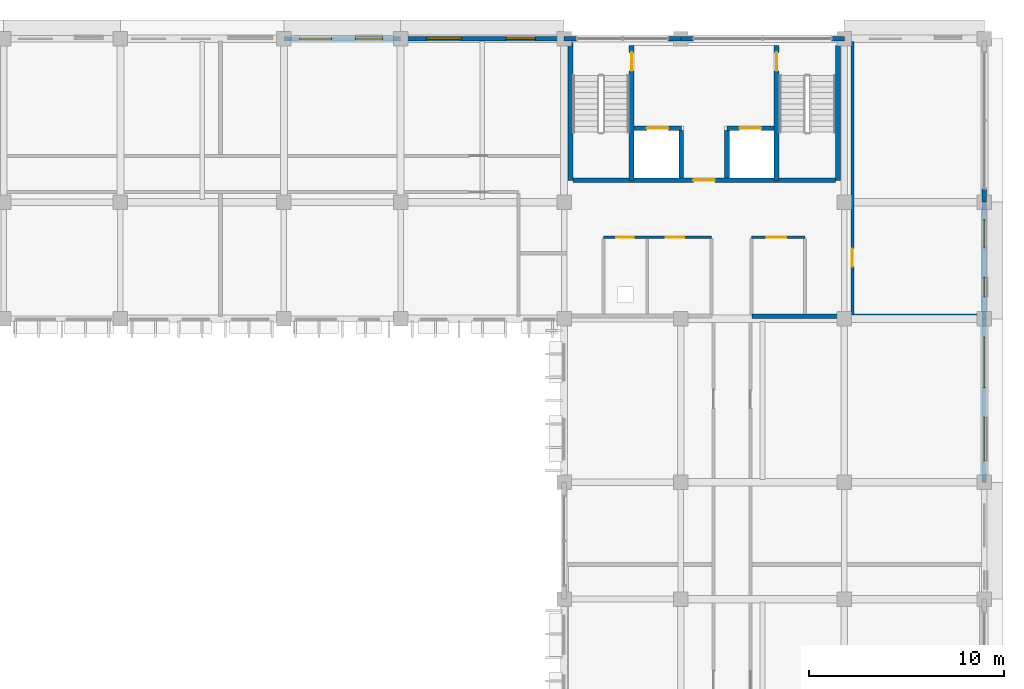
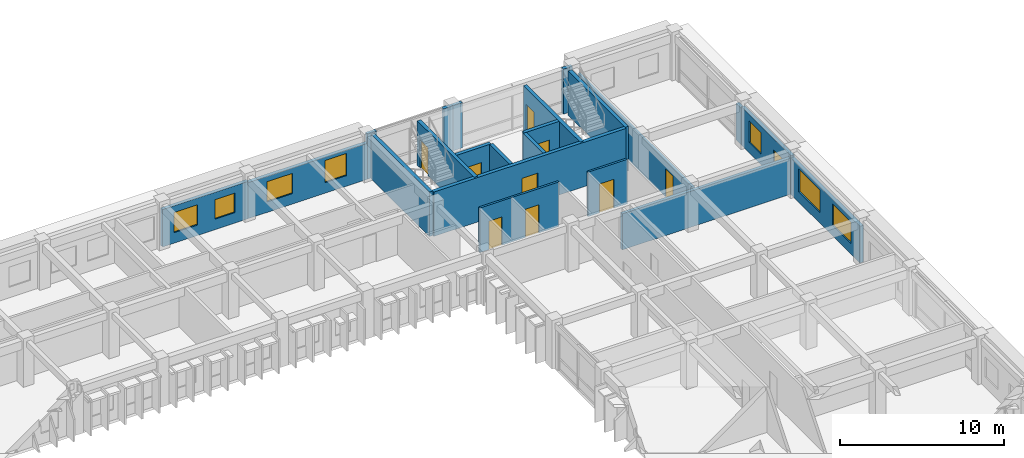
# One storey, part 66 of 88: 22 walls, 9 doors, 8 windows, 17 openings.
"""IFC4 building model written with IfcOpenShell, lengths in metres."""

from ifc_helpers import new_model, si_unit, direction, frame, frame_2d, origin, place, context, subcontext, project, spatial, rectangle, extrude, material, layer, layer_set, type_object, element, fill, save


model = new_model("IFC4")

# Units and contexts
model_context = context("Model", 3, precision=1e-05, world=origin(), true_north=direction((0.0, 1.0)))
body_context = subcontext(model_context, "Body", "Model", "MODEL_VIEW")
ifc_project = project(units=[si_unit("LENGTHUNIT", "METRE"), si_unit("AREAUNIT", "SQUARE_METRE"), si_unit("VOLUMEUNIT", "CUBIC_METRE"), si_unit("PLANEANGLEUNIT", "RADIAN"), si_unit("MASSUNIT", "GRAM", prefix="KILO"), si_unit("THERMODYNAMICTEMPERATUREUNIT", "KELVIN")], contexts=[model_context])

# Site, building, storey
site_placement = place(None, origin())
site = spatial("IfcSite", under=ifc_project, at=site_placement, CompositionType="ELEMENT")
building_placement = place(site_placement, origin())
building = spatial("IfcBuilding", under=site, at=building_placement, Name="Thalorik Housing Commons", CompositionType="ELEMENT")
storey_placement = place(building_placement, frame((0.0, 0.0, 4.5)))
storey = spatial("IfcBuildingStorey", under=building, at=storey_placement, Name="L01", CompositionType="ELEMENT", Elevation=4.5)

# Wall, opening, door
ifc_material_1 = material(Name="Concrete C40/50", Category="concrete")
ifc_layer_1 = layer(ifc_material_1, 0.25, Name="Concrete C40/50", Category="concrete")
ifc_layer_set_1 = layer_set([ifc_layer_1], Name="Concrete C40/50")
wall_type_1 = type_object("IfcWallType", Name="ARC-WAL-CORE-250", PredefinedType="SHEAR", material=ifc_layer_set_1)
wall_1_placement = place(storey_placement, frame((155.875, 123.25, 0.0), z_axis=(0.0, 0.0, 1.0), x_axis=(0.0, -1.0, 0.0)))
wall_1 = element("IfcWall", 1, at=wall_1_placement, inside=storey, type_object=wall_type_1, Name="L01 Core B Stair 1 Shear Wall", PredefinedType="SHEAR", context=body_context, shape_type="SweptSolid", body=[
    extrude(rectangle(XDim=6.925048828125, YDim=0.25, at=frame_2d((3.46240234375, 0.0))), origin(), (0.0, 0.0, 1.0), 3.300048828125),
])
opening_1_placement = place(wall_1_placement, frame((0.35009765625, 0.0, 0.0)))
opening_1 = element("IfcOpeningElement", 2, at=opening_1_placement, cuts=wall_1, Name="Opening ID-0153", PredefinedType="OPENING", context=body_context, shape_type="SweptSolid", body=[
    extrude(rectangle(XDim=0.949951171875, YDim=2.10009765625, at=frame_2d((0.47509765625, 1.050048828125))), frame((0.0, 0.135009765625, 0.0), z_axis=(0.0, -1.0, 0.0), x_axis=(1.0, 0.0, 0.0)), (0.0, 0.0, 1.0), 0.27001953125),
])
ifc_material_2 = material(Name="Steel S355", Category="steel")
door_type_1 = type_object("IfcDoorType", Name="ARC-DR-FD60-950", OperationType="NOTDEFINED", PredefinedType="DOOR", material=ifc_material_2)
door_1_placement = place(opening_1_placement, origin())
door_1 = element("IfcDoor", 3, at=door_1_placement, inside=storey, type_object=door_type_1, Name="L01 Stair ST-B1 Fire Door", OperationType="SINGLE_SWING_RIGHT", OverallHeight=2.10009765625, OverallWidth=0.949951171875, PredefinedType="DOOR", context=body_context, shape_type="SweptSolid", body=[
    extrude(rectangle(XDim=0.949951171875, YDim=2.10009765625, at=frame_2d((0.47509765625, 1.050048828125))), frame((0.0, 0.02490234375, 0.0), z_axis=(0.0, -1.0, 0.0), x_axis=(1.0, 0.0, 0.0)), (0.0, 0.0, 1.0), 0.050048828125),
])
fill(opening_1, door_1)

# Walls
wall_2_placement = place(storey_placement, frame((152.72509765625, 123.39990234375, 0.0), z_axis=(0.0, 0.0, 1.0), x_axis=(0.0, -1.0, 0.0)))
element("IfcWall", 4, at=wall_2_placement, inside=storey, type_object=wall_type_1, Name="L01 Core B Stair 1 Outer Shear Wall", PredefinedType="SHEAR", context=body_context, shape_type="SweptSolid", body=[
    extrude(rectangle(XDim=7.074951171875, YDim=0.25, at=frame_2d((3.53759765625, 0.0))), origin(), (0.0, 0.0, 1.0), 3.300048828125),
])
wall_3_placement = place(storey_placement, frame((166.47509765625, 123.25, 0.0), z_axis=(0.0, 0.0, 1.0), x_axis=(0.0, -1.0, 0.0)))
element("IfcWall", 5, at=wall_3_placement, inside=storey, type_object=wall_type_1, Name="L01 Core B Stair 2 Outer Shear Wall", PredefinedType="SHEAR", context=body_context, shape_type="SweptSolid", body=[
    extrude(rectangle(XDim=6.925048828125, YDim=0.25, at=frame_2d((3.46240234375, 0.0))), origin(), (0.0, 0.0, 1.0), 3.300048828125),
])

# Wall, opening, door
wall_4_placement = place(storey_placement, frame((163.324951171875, 123.25, 0.0), z_axis=(0.0, 0.0, 1.0), x_axis=(0.0, -1.0, 0.0)))
wall_4 = element("IfcWall", 6, at=wall_4_placement, inside=storey, type_object=wall_type_1, Name="L01 Core B Stair 2 Shear Wall", PredefinedType="SHEAR", context=body_context, shape_type="SweptSolid", body=[
    extrude(rectangle(XDim=6.925048828125, YDim=0.25, at=frame_2d((3.46240234375, 0.0))), origin(), (0.0, 0.0, 1.0), 3.300048828125),
])
opening_2_placement = place(wall_4_placement, frame((0.35009765625, 0.0, 0.0)))
opening_2 = element("IfcOpeningElement", 7, at=opening_2_placement, cuts=wall_4, Name="Opening ID-0154", PredefinedType="OPENING", context=body_context, shape_type="SweptSolid", body=[
    extrude(rectangle(XDim=0.949951171875, YDim=2.10009765625, at=frame_2d((0.47509765625, 1.050048828125))), frame((0.0, 0.135009765625, 0.0), z_axis=(0.0, -1.0, 0.0), x_axis=(1.0, 0.0, 0.0)), (0.0, 0.0, 1.0), 0.27001953125),
])
door_2_placement = place(opening_2_placement, origin())
door_2 = element("IfcDoor", 8, at=door_2_placement, inside=storey, type_object=door_type_1, Name="L01 Stair ST-B2 Fire Door", OperationType="SINGLE_SWING_LEFT", OverallHeight=2.10009765625, OverallWidth=0.949951171875, PredefinedType="DOOR", context=body_context, shape_type="SweptSolid", body=[
    extrude(rectangle(XDim=0.949951171875, YDim=2.10009765625, at=frame_2d((0.47509765625, 1.050048828125))), frame((0.0, 0.02490234375, 0.0), z_axis=(0.0, -1.0, 0.0), x_axis=(1.0, 0.0, 0.0)), (0.0, 0.0, 1.0), 0.050048828125),
])
fill(opening_2, door_2)

wall_5_placement = place(storey_placement, frame((156.0, 119.0, 0.0), z_axis=(0.0, 0.0, 1.0), x_axis=(1.0, 0.0, 0.0)))
wall_5 = element("IfcWall", 9, at=wall_5_placement, inside=storey, type_object=wall_type_1, Name="L01 Lift LF-B1 Front Shaft Wall", PredefinedType="SHEAR", context=body_context, shape_type="SweptSolid", body=[
    extrude(rectangle(XDim=2.425048828125, YDim=0.25, at=frame_2d((1.21240234375, 0.0))), origin(), (0.0, 0.0, 1.0), 3.300048828125),
])
opening_3_placement = place(wall_5_placement, frame((0.64990234375, 0.0, 0.0)))
opening_3 = element("IfcOpeningElement", 10, at=opening_3_placement, cuts=wall_5, Name="Opening LD-LF-B1-L01", PredefinedType="OPENING", context=body_context, shape_type="SweptSolid", body=[
    extrude(rectangle(XDim=1.10009765625, YDim=2.14990234375, at=frame_2d((0.550048828125, 1.074951171875))), frame((0.0, 0.135009765625, 0.0), z_axis=(0.0, -1.0, 0.0), x_axis=(1.0, 0.0, 0.0)), (0.0, 0.0, 1.0), 0.27001953125),
])
door_type_2 = type_object("IfcDoorType", Name="ARC-DR-LIFT-1100", OperationType="NOTDEFINED", PredefinedType="DOOR", material=ifc_material_2)
door_3_placement = place(opening_3_placement, origin())
door_3 = element("IfcDoor", 11, at=door_3_placement, inside=storey, type_object=door_type_2, Name="L01 Lift LF-B1 Landing Door", OperationType="SLIDING_TO_LEFT", OverallHeight=2.14990234375, OverallWidth=1.10009765625, PredefinedType="DOOR", context=body_context, shape_type="SweptSolid", body=[
    extrude(rectangle(XDim=1.10009765625, YDim=2.14990234375, at=frame_2d((0.550048828125, 1.074951171875))), frame((0.0, 0.02490234375, 0.0), z_axis=(0.0, -1.0, 0.0), x_axis=(1.0, 0.0, 0.0)), (0.0, 0.0, 1.0), 0.050048828125),
])
fill(opening_3, door_3)

wall_6_placement = place(storey_placement, frame((160.77490234375, 119.0, 0.0), z_axis=(0.0, 0.0, 1.0), x_axis=(1.0, 0.0, 0.0)))
wall_6 = element("IfcWall", 12, at=wall_6_placement, inside=storey, type_object=wall_type_1, Name="L01 Lift LP-B2 Front Shaft Wall", PredefinedType="SHEAR", context=body_context, shape_type="SweptSolid", body=[
    extrude(rectangle(XDim=2.425048828125, YDim=0.25, at=frame_2d((1.21240234375, 0.0))), origin(), (0.0, 0.0, 1.0), 3.300048828125),
])
opening_4_placement = place(wall_6_placement, frame((0.64990234375, 0.0, 0.0)))
opening_4 = element("IfcOpeningElement", 13, at=opening_4_placement, cuts=wall_6, Name="Opening LD-LP-B2-L01", PredefinedType="OPENING", context=body_context, shape_type="SweptSolid", body=[
    extrude(rectangle(XDim=1.10009765625, YDim=2.14990234375, at=frame_2d((0.550048828125, 1.074951171875))), frame((0.0, 0.135009765625, 0.0), z_axis=(0.0, -1.0, 0.0), x_axis=(1.0, 0.0, 0.0)), (0.0, 0.0, 1.0), 0.27001953125),
])
door_4_placement = place(opening_4_placement, origin())
door_4 = element("IfcDoor", 14, at=door_4_placement, inside=storey, type_object=door_type_2, Name="L01 Lift LP-B2 Landing Door", OperationType="SLIDING_TO_LEFT", OverallHeight=2.14990234375, OverallWidth=1.10009765625, PredefinedType="DOOR", context=body_context, shape_type="SweptSolid", body=[
    extrude(rectangle(XDim=1.10009765625, YDim=2.14990234375, at=frame_2d((0.550048828125, 1.074951171875))), frame((0.0, 0.02490234375, 0.0), z_axis=(0.0, -1.0, 0.0), x_axis=(1.0, 0.0, 0.0)), (0.0, 0.0, 1.0), 0.050048828125),
])
fill(opening_4, door_4)

# Walls
for number, where, z_axis, x_axis, name in (
    (15, (158.425048828125, 118.875, 0.0), (0.0, 0.0, 1.0), (0.0, -1.0, 0.0), "L01 Lift 1 Cheek Wall"),
    (16, (160.77490234375, 118.875, 0.0), (0.0, 0.0, 1.0), (0.0, -1.0, 0.0), "L01 Lift 2 Cheek Wall"),
):
    element("IfcWall", number, at=place(storey_placement, frame(where, z_axis=z_axis, x_axis=x_axis)), inside=storey, type_object=wall_type_1, Name=name, PredefinedType="SHEAR", context=body_context, shape_type="SweptSolid", body=[
        extrude(rectangle(XDim=2.425048828125, YDim=0.25, at=frame_2d((1.21240234375, 0.0))), origin(), (0.0, 0.0, 1.0), 3.300048828125),
    ])

# Wall, opening, door
wall_7_placement = place(storey_placement, frame((152.85009765625, 116.324951171875, 0.0), z_axis=(0.0, 0.0, 1.0), x_axis=(1.0, 0.0, 0.0)))
wall_7 = element("IfcWall", 17, at=wall_7_placement, inside=storey, type_object=wall_type_1, Name="L01 Core B Spine Shear Wall", PredefinedType="SHEAR", context=body_context, shape_type="SweptSolid", body=[
    extrude(rectangle(XDim=13.5, YDim=0.25, at=frame_2d((6.75, 0.0))), origin(), (0.0, 0.0, 1.0), 3.300048828125),
])
opening_5_placement = place(wall_7_placement, frame((6.199951171875, 0.0, 0.0)))
opening_5 = element("IfcOpeningElement", 18, at=opening_5_placement, cuts=wall_7, Name="Opening ID-0157", PredefinedType="OPENING", context=body_context, shape_type="SweptSolid", body=[
    extrude(rectangle(XDim=1.10009765625, YDim=2.14990234375, at=frame_2d((0.550048828125, 1.074951171875))), frame((0.0, 0.135009765625, 0.0), z_axis=(0.0, -1.0, 0.0), x_axis=(1.0, 0.0, 0.0)), (0.0, 0.0, 1.0), 0.27001953125),
])
door_type_3 = type_object("IfcDoorType", Name="ARC-DR-FD60-1100", OperationType="NOTDEFINED", PredefinedType="DOOR", material=ifc_material_2)
door_5_placement = place(opening_5_placement, origin())
door_5 = element("IfcDoor", 19, at=door_5_placement, inside=storey, type_object=door_type_3, Name="L01 Core B Lobby Fire Door", OperationType="SINGLE_SWING_RIGHT", OverallHeight=2.14990234375, OverallWidth=1.10009765625, PredefinedType="DOOR", context=body_context, shape_type="SweptSolid", body=[
    extrude(rectangle(XDim=1.10009765625, YDim=2.14990234375, at=frame_2d((0.550048828125, 1.074951171875))), frame((0.0, 0.02490234375, 0.0), z_axis=(0.0, -1.0, 0.0), x_axis=(1.0, 0.0, 0.0)), (0.0, 0.0, 1.0), 0.050048828125),
])
fill(opening_5, door_5)

ifc_material_3 = material(Name="Masonry fire-rated corridor wall", Category="masonry")
ifc_layer_2 = layer(ifc_material_3, 0.14990234375, Name="Masonry fire-rated corridor wall", Category="masonry")
ifc_layer_set_2 = layer_set([ifc_layer_2], Name="Masonry fire-rated corridor wall")
wall_type_2 = type_object("IfcWallType", Name="ARC-WAL-CORR-150", PredefinedType="PARTITIONING", material=ifc_layer_set_2)
wall_8_placement = place(storey_placement, frame((167.219970703125, 109.451904296875, 0.0), z_axis=(0.0, 0.0, 1.0), x_axis=(0.0, 1.0, 0.0)))
wall_8 = element("IfcWall", 20, at=wall_8_placement, inside=storey, type_object=wall_type_2, Name="L01 Block B East Studio Wall", PredefinedType="PARTITIONING", context=body_context, shape_type="SweptSolid", body=[
    extrude(rectangle(XDim=14.008056640625, YDim=0.14990234375, at=frame_2d((7.00390625, 0.0))), origin(), (0.0, 0.0, 1.0), 2.72509765625),
])
opening_6_placement = place(wall_8_placement, frame((2.43798828125, 0.0, 0.0)))
opening_6 = element("IfcOpeningElement", 21, at=opening_6_placement, cuts=wall_8, Name="Opening ID-1018", PredefinedType="OPENING", context=body_context, shape_type="SweptSolid", body=[
    extrude(rectangle(XDim=0.919921875, YDim=2.10009765625, at=frame_2d((0.4599609375, 1.050048828125))), frame((0.0, 0.0849609375, 0.0), z_axis=(0.0, -1.0, 0.0), x_axis=(1.0, 0.0, 0.0)), (0.0, 0.0, 1.0), 0.169921875),
])
ifc_material_4 = material(Name="Solid core hardwood timber", Category="wood")
door_type_4 = type_object("IfcDoorType", Name="ARC-DR-FD30-920", OperationType="NOTDEFINED", PredefinedType="DOOR", material=ifc_material_4)
door_6_placement = place(opening_6_placement, origin())
door_6 = element("IfcDoor", 22, at=door_6_placement, inside=storey, type_object=door_type_4, Name="L01 Block B East Room Door", OperationType="SINGLE_SWING_LEFT", OverallHeight=2.10009765625, OverallWidth=0.919921875, PredefinedType="DOOR", context=body_context, shape_type="SweptSolid", body=[
    extrude(rectangle(XDim=0.919921875, YDim=2.10009765625, at=frame_2d((0.4599609375, 1.050048828125))), frame((0.0, 0.02490234375, 0.0), z_axis=(0.0, -1.0, 0.0), x_axis=(1.0, 0.0, 0.0)), (0.0, 0.0, 1.0), 0.050048828125),
])
fill(opening_6, door_6)

# Wall, openings, windows
ifc_material_5 = material(Name="White precast concrete C40/50", Category="concrete")
ifc_layer_3 = layer(ifc_material_5, 0.2451171875, Name="White precast concrete C40/50", Category="concrete")
ifc_layer_set_3 = layer_set([ifc_layer_3], Name="White precast concrete C40/50")
wall_type_3 = type_object("IfcWallType", Name="ARC-WAL-EXT-245", PredefinedType="STANDARD", material=ifc_layer_set_3)
wall_9_placement = place(storey_placement, frame((174.0, 109.199951171875, 0.0), z_axis=(0.0, 0.0, 1.0), x_axis=(0.0, 1.0, 0.0)))
wall_9 = element("IfcWall", 23, at=wall_9_placement, inside=storey, type_object=wall_type_3, Name="L01 Exterior Wall WAL-EXT-L01-B-0407", PredefinedType="STANDARD", context=body_context, shape_type="SweptSolid", body=[
    extrude(rectangle(XDim=6.0, YDim=0.2451171875, at=frame_2d((3.0, 0.0))), origin(), (0.0, 0.0, 1.0), 2.875),
])
opening_7_placement = place(wall_9_placement, frame((1.1298828125, 0.0, 0.780029296875)))
opening_7 = element("IfcOpeningElement", 24, at=opening_7_placement, cuts=wall_9, Name="Opening W-02", PredefinedType="OPENING", context=body_context, shape_type="SweptSolid", body=[
    extrude(rectangle(XDim=1.0, YDim=1.25, at=frame_2d((0.5, 0.625))), frame((0.0, 0.132568359375, 0.0), z_axis=(0.0, -1.0, 0.0), x_axis=(1.0, 0.0, 0.0)), (0.0, 0.0, 1.0), 0.26513671875),
])
opening_8_placement = place(wall_9_placement, frame((3.64501953125, 0.0, 0.780029296875)))
opening_8 = element("IfcOpeningElement", 25, at=opening_8_placement, cuts=wall_9, Name="Opening W-09", PredefinedType="OPENING", context=body_context, shape_type="SweptSolid", body=[
    extrude(rectangle(XDim=1.449951171875, YDim=1.60009765625, at=frame_2d((0.72509765625, 0.800048828125))), frame((0.0, 0.132568359375, 0.0), z_axis=(0.0, -1.0, 0.0), x_axis=(1.0, 0.0, 0.0)), (0.0, 0.0, 1.0), 0.26513671875),
])
ifc_material_6 = material(Name="Anodised aluminium and solar-control low-E glass", Category="aluminium")
window_type_1 = type_object("IfcWindowType", Name="ARC-WIN-02", PartitioningType="SINGLE_PANEL", PredefinedType="WINDOW", material=ifc_material_6)
window_1_placement = place(opening_7_placement, origin())
window_1 = element("IfcWindow", 26, at=window_1_placement, inside=storey, type_object=window_type_1, Name="L01 Facade Window 726", OverallHeight=1.25, OverallWidth=1.0, PartitioningType="SINGLE_PANEL", PredefinedType="WINDOW", context=body_context, shape_type="SweptSolid", body=[
    extrude(rectangle(XDim=1.0, YDim=1.25, at=frame_2d((0.5, 0.625))), frame((0.0, 0.030029296875, 0.0), z_axis=(0.0, -1.0, 0.0), x_axis=(1.0, 0.0, 0.0)), (0.0, 0.0, 1.0), 0.06005859375),
])
fill(opening_7, window_1)
window_type_2 = type_object("IfcWindowType", Name="ARC-WIN-09", PartitioningType="SINGLE_PANEL", PredefinedType="WINDOW", material=ifc_material_6)
window_2_placement = place(opening_8_placement, origin())
window_2 = element("IfcWindow", 27, at=window_2_placement, inside=storey, type_object=window_type_2, Name="L01 Facade Window 727", OverallHeight=1.60009765625, OverallWidth=1.449951171875, PartitioningType="SINGLE_PANEL", PredefinedType="WINDOW", context=body_context, shape_type="SweptSolid", body=[
    extrude(rectangle(XDim=1.449951171875, YDim=1.60009765625, at=frame_2d((0.72509765625, 0.800048828125))), frame((0.0, 0.030029296875, 0.0), z_axis=(0.0, -1.0, 0.0), x_axis=(1.0, 0.0, 0.0)), (0.0, 0.0, 1.0), 0.06005859375),
])
fill(opening_8, window_2)

# Walls
wall_10_placement = place(storey_placement, frame((174.0, 115.199951171875, 0.0), z_axis=(0.0, 0.0, 1.0), x_axis=(0.0, 1.0, 0.0)))
element("IfcWall", 28, at=wall_10_placement, inside=storey, type_object=wall_type_3, Name="L01 Exterior Wall WAL-PIERL-L01-B-0408", PredefinedType="STANDARD", context=body_context, shape_type="SweptSolid", body=[
    extrude(rectangle(XDim=0.699951171875, YDim=0.2451171875, at=frame_2d((0.35009765625, 0.0))), origin(), (0.0, 0.0, 1.0), 2.72509765625),
])
for number, where, z_axis, x_axis, name in (
    (29, (166.800048828125, 123.60009765625, 0.0), (0.0, 0.0, 1.0), (-1.0, 0.0, 0.0), "L01 Exterior Wall WAL-PIERL-L01-B-0410"),
    (30, (159.050048828125, 123.60009765625, 0.0), (0.0, 0.0, 1.0), (-1.0, 0.0, 0.0), "L01 Exterior Wall WAL-PIERR-L01-B-0410"),
):
    element("IfcWall", number, at=place(storey_placement, frame(where, z_axis=z_axis, x_axis=x_axis)), inside=storey, type_object=wall_type_3, Name=name, PredefinedType="STANDARD", context=body_context, shape_type="SweptSolid", body=[
        extrude(rectangle(XDim=0.650146484375, YDim=0.2451171875, at=frame_2d((0.3251953125, 0.0))), origin(), (0.0, 0.0, 1.0), 3.340087890625),
    ])
wall_11_placement = place(storey_placement, frame((158.39990234375, 123.60009765625, 0.0), z_axis=(0.0, 0.0, 1.0), x_axis=(-1.0, 0.0, 0.0)))
element("IfcWall", 31, at=wall_11_placement, inside=storey, type_object=wall_type_3, Name="L01 Exterior Wall WAL-PIERL-L01-B-0411", PredefinedType="STANDARD", context=body_context, shape_type="SweptSolid", body=[
    extrude(rectangle(XDim=0.64990234375, YDim=0.2451171875, at=frame_2d((0.324951171875, 0.0))), origin(), (0.0, 0.0, 1.0), 3.340087890625),
])
wall_12_placement = place(storey_placement, frame((153.050048828125, 123.60009765625, 0.0), z_axis=(0.0, 0.0, 1.0), x_axis=(-1.0, 0.0, 0.0)))
element("IfcWall", 32, at=wall_12_placement, inside=storey, type_object=wall_type_3, Name="L01 Exterior Wall WAL-PIERR-L01-B-0411", PredefinedType="STANDARD", context=body_context, shape_type="SweptSolid", body=[
    extrude(rectangle(XDim=0.650146484375, YDim=0.2451171875, at=frame_2d((0.3251953125, 0.0))), origin(), (0.0, 0.0, 1.0), 3.340087890625),
])

# Wall, openings, windows
wall_13_placement = place(storey_placement, frame((152.39990234375, 123.60009765625, 0.0), z_axis=(0.0, 0.0, 1.0), x_axis=(-1.0, 0.0, 0.0)))
wall_13 = element("IfcWall", 33, at=wall_13_placement, inside=storey, type_object=wall_type_3, Name="L01 Exterior Wall WAL-EXT-L01-B-0412", PredefinedType="STANDARD", context=body_context, shape_type="SweptSolid", body=[
    extrude(rectangle(XDim=8.39990234375, YDim=0.2451171875, at=frame_2d((4.199951171875, 0.0))), origin(), (0.0, 0.0, 1.0), 2.675048828125),
])
opening_9_placement = place(wall_13_placement, frame((1.47998046875, 0.0, 0.780029296875)))
opening_9 = element("IfcOpeningElement", 34, at=opening_9_placement, cuts=wall_13, Name="Opening W-11", PredefinedType="OPENING", context=body_context, shape_type="SweptSolid", body=[
    extrude(rectangle(XDim=1.5, YDim=1.64990234375, at=frame_2d((0.75, 0.824951171875))), frame((0.0, 0.132568359375, 0.0), z_axis=(0.0, -1.0, 0.0), x_axis=(1.0, 0.0, 0.0)), (0.0, 0.0, 1.0), 0.26513671875),
])
opening_10_placement = place(wall_13_placement, frame((5.27001953125, 0.0, 0.780029296875)))
opening_10 = element("IfcOpeningElement", 35, at=opening_10_placement, cuts=wall_13, Name="Opening W-18", PredefinedType="OPENING", context=body_context, shape_type="SweptSolid", body=[
    extrude(rectangle(XDim=1.800048828125, YDim=1.5, at=frame_2d((0.89990234375, 0.75))), frame((0.0, 0.132568359375, 0.0), z_axis=(0.0, -1.0, 0.0), x_axis=(1.0, 0.0, 0.0)), (0.0, 0.0, 1.0), 0.26513671875),
])
window_type_3 = type_object("IfcWindowType", Name="ARC-WIN-11", PartitioningType="SINGLE_PANEL", PredefinedType="WINDOW", material=ifc_material_6)
window_3_placement = place(opening_9_placement, origin())
window_3 = element("IfcWindow", 36, at=window_3_placement, inside=storey, type_object=window_type_3, Name="L01 Facade Window 730", OverallHeight=1.64990234375, OverallWidth=1.5, PartitioningType="SINGLE_PANEL", PredefinedType="WINDOW", context=body_context, shape_type="SweptSolid", body=[
    extrude(rectangle(XDim=1.5, YDim=1.64990234375, at=frame_2d((0.75, 0.824951171875))), frame((0.0, 0.030029296875, 0.0), z_axis=(0.0, -1.0, 0.0), x_axis=(1.0, 0.0, 0.0)), (0.0, 0.0, 1.0), 0.06005859375),
])
fill(opening_9, window_3)
window_type_4 = type_object("IfcWindowType", Name="ARC-WIN-18", PartitioningType="DOUBLE_PANEL_VERTICAL", PredefinedType="WINDOW", material=ifc_material_6)
window_4_placement = place(opening_10_placement, origin())
window_4 = element("IfcWindow", 37, at=window_4_placement, inside=storey, type_object=window_type_4, Name="L01 Facade Window 731", OverallHeight=1.5, OverallWidth=1.800048828125, PartitioningType="DOUBLE_PANEL_VERTICAL", PredefinedType="WINDOW", context=body_context, shape_type="SweptSolid", body=[
    extrude(rectangle(XDim=1.800048828125, YDim=1.5, at=frame_2d((0.89990234375, 0.75))), frame((0.0, 0.030029296875, 0.0), z_axis=(0.0, -1.0, 0.0), x_axis=(1.0, 0.0, 0.0)), (0.0, 0.0, 1.0), 0.06005859375),
])
fill(opening_10, window_4)

wall_14_placement = place(storey_placement, frame((144.0, 123.60009765625, 0.0), z_axis=(0.0, 0.0, 1.0), x_axis=(-1.0, 0.0, 0.0)))
wall_14 = element("IfcWall", 38, at=wall_14_placement, inside=storey, type_object=wall_type_3, Name="L01 Exterior Wall WAL-EXT-L01-B-0413", PredefinedType="STANDARD", context=body_context, shape_type="SweptSolid", body=[
    extrude(rectangle(XDim=6.0, YDim=0.2451171875, at=frame_2d((3.0, 0.0))), origin(), (0.0, 0.0, 1.0), 2.77490234375),
])
opening_11_placement = place(wall_14_placement, frame((0.929931640625, 0.0, 0.780029296875)))
opening_11 = element("IfcOpeningElement", 39, at=opening_11_placement, cuts=wall_14, Name="Opening W-08", PredefinedType="OPENING", context=body_context, shape_type="SweptSolid", body=[
    extrude(rectangle(XDim=1.39990234375, YDim=1.449951171875, at=frame_2d((0.699951171875, 0.72509765625))), frame((0.0, 0.132568359375, 0.0), z_axis=(0.0, -1.0, 0.0), x_axis=(1.0, 0.0, 0.0)), (0.0, 0.0, 1.0), 0.26513671875),
])
opening_12_placement = place(wall_14_placement, frame((3.544921875, 0.0, 0.780029296875)))
opening_12 = element("IfcOpeningElement", 40, at=opening_12_placement, cuts=wall_14, Name="Opening W-15", PredefinedType="OPENING", context=body_context, shape_type="SweptSolid", body=[
    extrude(rectangle(XDim=1.64990234375, YDim=1.5, at=frame_2d((0.824951171875, 0.75))), frame((0.0, 0.132568359375, 0.0), z_axis=(0.0, -1.0, 0.0), x_axis=(1.0, 0.0, 0.0)), (0.0, 0.0, 1.0), 0.26513671875),
])
window_type_5 = type_object("IfcWindowType", Name="ARC-WIN-08", PartitioningType="SINGLE_PANEL", PredefinedType="WINDOW", material=ifc_material_6)
window_5_placement = place(opening_11_placement, origin())
window_5 = element("IfcWindow", 41, at=window_5_placement, inside=storey, type_object=window_type_5, Name="L01 Facade Window 732", OverallHeight=1.449951171875, OverallWidth=1.39990234375, PartitioningType="SINGLE_PANEL", PredefinedType="WINDOW", context=body_context, shape_type="SweptSolid", body=[
    extrude(rectangle(XDim=1.39990234375, YDim=1.449951171875, at=frame_2d((0.699951171875, 0.72509765625))), frame((0.0, 0.030029296875, 0.0), z_axis=(0.0, -1.0, 0.0), x_axis=(1.0, 0.0, 0.0)), (0.0, 0.0, 1.0), 0.06005859375),
])
fill(opening_11, window_5)
window_type_6 = type_object("IfcWindowType", Name="ARC-WIN-15", PartitioningType="DOUBLE_PANEL_VERTICAL", PredefinedType="WINDOW", material=ifc_material_6)
window_6_placement = place(opening_12_placement, origin())
window_6 = element("IfcWindow", 42, at=window_6_placement, inside=storey, type_object=window_type_6, Name="L01 Facade Window 733", OverallHeight=1.5, OverallWidth=1.64990234375, PartitioningType="DOUBLE_PANEL_VERTICAL", PredefinedType="WINDOW", context=body_context, shape_type="SweptSolid", body=[
    extrude(rectangle(XDim=1.64990234375, YDim=1.5, at=frame_2d((0.824951171875, 0.75))), frame((0.0, 0.030029296875, 0.0), z_axis=(0.0, -1.0, 0.0), x_axis=(1.0, 0.0, 0.0)), (0.0, 0.0, 1.0), 0.06005859375),
])
fill(opening_12, window_6)

wall_15_placement = place(storey_placement, frame((174.0, 100.800048828125, 0.0), z_axis=(0.0, 0.0, 1.0), x_axis=(0.0, 1.0, 0.0)))
wall_15 = element("IfcWall", 43, at=wall_15_placement, inside=storey, type_object=wall_type_3, Name="L01 Exterior Wall WAL-EXT-L01-B-0444", PredefinedType="STANDARD", context=body_context, shape_type="SweptSolid", body=[
    extrude(rectangle(XDim=8.39990234375, YDim=0.2451171875, at=frame_2d((4.199951171875, 0.0))), origin(), (0.0, 0.0, 1.0), 2.72509765625),
])
opening_13_placement = place(wall_15_placement, frame((1.10498046875, 0.0, 0.780029296875)))
opening_13 = element("IfcOpeningElement", 44, at=opening_13_placement, cuts=wall_15, Name="Opening W-31", PredefinedType="OPENING", context=body_context, shape_type="SweptSolid", body=[
    extrude(rectangle(XDim=2.25, YDim=1.60009765625, at=frame_2d((1.125, 0.800048828125))), frame((0.0, 0.132568359375, 0.0), z_axis=(0.0, -1.0, 0.0), x_axis=(1.0, 0.0, 0.0)), (0.0, 0.0, 1.0), 0.26513671875),
])
opening_14_placement = place(wall_15_placement, frame((4.8701171875, 0.0, 0.780029296875)))
opening_14 = element("IfcOpeningElement", 45, at=opening_14_placement, cuts=wall_15, Name="Opening W-39", PredefinedType="OPENING", context=body_context, shape_type="SweptSolid", body=[
    extrude(rectangle(XDim=2.60009765625, YDim=1.699951171875, at=frame_2d((1.300048828125, 0.85009765625))), frame((0.0, 0.132568359375, 0.0), z_axis=(0.0, -1.0, 0.0), x_axis=(1.0, 0.0, 0.0)), (0.0, 0.0, 1.0), 0.26513671875),
])
window_type_7 = type_object("IfcWindowType", Name="ARC-WIN-31", PartitioningType="DOUBLE_PANEL_VERTICAL", PredefinedType="WINDOW", material=ifc_material_6)
window_7_placement = place(opening_13_placement, origin())
window_7 = element("IfcWindow", 46, at=window_7_placement, inside=storey, type_object=window_type_7, Name="L01 Facade Window 791", OverallHeight=1.60009765625, OverallWidth=2.25, PartitioningType="DOUBLE_PANEL_VERTICAL", PredefinedType="WINDOW", context=body_context, shape_type="SweptSolid", body=[
    extrude(rectangle(XDim=2.25, YDim=1.60009765625, at=frame_2d((1.125, 0.800048828125))), frame((0.0, 0.030029296875, 0.0), z_axis=(0.0, -1.0, 0.0), x_axis=(1.0, 0.0, 0.0)), (0.0, 0.0, 1.0), 0.06005859375),
])
fill(opening_13, window_7)
window_type_8 = type_object("IfcWindowType", Name="ARC-WIN-39", PartitioningType="DOUBLE_PANEL_VERTICAL", PredefinedType="WINDOW", material=ifc_material_6)
window_8_placement = place(opening_14_placement, origin())
window_8 = element("IfcWindow", 47, at=window_8_placement, inside=storey, type_object=window_type_8, Name="L01 Facade Window 792", OverallHeight=1.699951171875, OverallWidth=2.60009765625, PartitioningType="DOUBLE_PANEL_VERTICAL", PredefinedType="WINDOW", context=body_context, shape_type="SweptSolid", body=[
    extrude(rectangle(XDim=2.60009765625, YDim=1.699951171875, at=frame_2d((1.300048828125, 0.85009765625))), frame((0.0, 0.030029296875, 0.0), z_axis=(0.0, -1.0, 0.0), x_axis=(1.0, 0.0, 0.0)), (0.0, 0.0, 1.0), 0.06005859375),
])
fill(opening_14, window_8)

# Wall, openings, doors
ifc_material_7 = material(Name="Ceramic masonry partition wall", Category="masonry")
ifc_layer_4 = layer(ifc_material_7, 0.14794921875, Name="Ceramic masonry partition wall", Category="masonry")
ifc_layer_set_4 = layer_set([ifc_layer_4], Name="Ceramic masonry partition wall")
wall_type_4 = type_object("IfcWallType", Name="ARC-WAL-PART-150", PredefinedType="PARTITIONING", material=ifc_layer_set_4)
wall_16_placement = place(storey_placement, frame((154.419921875, 113.39990234375, 0.0), z_axis=(0.0, 0.0, 1.0), x_axis=(1.0, 0.0, 0.0)))
wall_16 = element("IfcWall", 48, at=wall_16_placement, inside=storey, type_object=wall_type_4, Name="L01 Core B West Corridor Partition", PredefinedType="PARTITIONING", context=body_context, shape_type="SweptSolid", body=[
    extrude(rectangle(XDim=5.55517578125, YDim=0.14794921875, at=frame_2d((2.777587890625, 0.0))), origin(), (0.0, 0.0, 1.0), 3.300048828125),
])
opening_15_placement = place(wall_16_placement, frame((0.64990234375, 0.0, 0.0)))
opening_15 = element("IfcOpeningElement", 49, at=opening_15_placement, cuts=wall_16, Name="Opening ID-0158", PredefinedType="OPENING", context=body_context, shape_type="SweptSolid", body=[
    extrude(rectangle(XDim=0.89990234375, YDim=2.10009765625, at=frame_2d((0.449951171875, 1.050048828125))), frame((0.0, 0.083984375, 0.0), z_axis=(0.0, -1.0, 0.0), x_axis=(1.0, 0.0, 0.0)), (0.0, 0.0, 1.0), 0.16796875),
])
opening_16_placement = place(wall_16_placement, frame((3.199951171875, 0.0, 0.0)))
opening_16 = element("IfcOpeningElement", 50, at=opening_16_placement, cuts=wall_16, Name="Opening ID-0159", PredefinedType="OPENING", context=body_context, shape_type="SweptSolid", body=[
    extrude(rectangle(XDim=0.949951171875, YDim=2.10009765625, at=frame_2d((0.47509765625, 1.050048828125))), frame((0.0, 0.083984375, 0.0), z_axis=(0.0, -1.0, 0.0), x_axis=(1.0, 0.0, 0.0)), (0.0, 0.0, 1.0), 0.16796875),
])
door_type_5 = type_object("IfcDoorType", Name="ARC-DR-FD60-900", OperationType="NOTDEFINED", PredefinedType="DOOR", material=ifc_material_2)
door_7_placement = place(opening_15_placement, origin())
door_7 = element("IfcDoor", 51, at=door_7_placement, inside=storey, type_object=door_type_5, Name="Electrical Riser Door", OperationType="SINGLE_SWING_LEFT", OverallHeight=2.10009765625, OverallWidth=0.89990234375, PredefinedType="DOOR", context=body_context, shape_type="SweptSolid", body=[
    extrude(rectangle(XDim=0.89990234375, YDim=2.10009765625, at=frame_2d((0.449951171875, 1.050048828125))), frame((0.0, 0.02490234375, 0.0), z_axis=(0.0, -1.0, 0.0), x_axis=(1.0, 0.0, 0.0)), (0.0, 0.0, 1.0), 0.050048828125),
])
fill(opening_15, door_7)
ifc_material_8 = material(Name="Engineered oak timber", Category="wood")
door_type_6 = type_object("IfcDoorType", Name="ARC-DR-INT-950", OperationType="NOTDEFINED", PredefinedType="DOOR", material=ifc_material_8)
door_8_placement = place(opening_16_placement, origin())
door_8 = element("IfcDoor", 52, at=door_8_placement, inside=storey, type_object=door_type_6, Name="Accessible Bathroom Door", OperationType="SINGLE_SWING_RIGHT", OverallHeight=2.10009765625, OverallWidth=0.949951171875, PredefinedType="DOOR", context=body_context, shape_type="SweptSolid", body=[
    extrude(rectangle(XDim=0.949951171875, YDim=2.10009765625, at=frame_2d((0.47509765625, 1.050048828125))), frame((0.0, 0.02490234375, 0.0), z_axis=(0.0, -1.0, 0.0), x_axis=(1.0, 0.0, 0.0)), (0.0, 0.0, 1.0), 0.050048828125),
])
fill(opening_16, door_8)

# Wall, opening, door
wall_17_placement = place(storey_placement, frame((162.02490234375, 113.39990234375, 0.0), z_axis=(0.0, 0.0, 1.0), x_axis=(1.0, 0.0, 0.0)))
wall_17 = element("IfcWall", 53, at=wall_17_placement, inside=storey, type_object=wall_type_4, Name="L01 Core B East Corridor Partition", PredefinedType="PARTITIONING", context=body_context, shape_type="SweptSolid", body=[
    extrude(rectangle(XDim=2.755126953125, YDim=0.14794921875, at=frame_2d((1.37744140625, 0.0))), origin(), (0.0, 0.0, 1.0), 3.300048828125),
])
opening_17_placement = place(wall_17_placement, frame((0.800048828125, 0.0, 0.0)))
opening_17 = element("IfcOpeningElement", 54, at=opening_17_placement, cuts=wall_17, Name="Opening ID-0160", PredefinedType="OPENING", context=body_context, shape_type="SweptSolid", body=[
    extrude(rectangle(XDim=1.0, YDim=2.14990234375, at=frame_2d((0.5, 1.074951171875))), frame((0.0, 0.083984375, 0.0), z_axis=(0.0, -1.0, 0.0), x_axis=(1.0, 0.0, 0.0)), (0.0, 0.0, 1.0), 0.16796875),
])
door_type_7 = type_object("IfcDoorType", Name="ARC-DR-FD60-1000", OperationType="NOTDEFINED", PredefinedType="DOOR", material=ifc_material_2)
door_9_placement = place(opening_17_placement, origin())
door_9 = element("IfcDoor", 55, at=door_9_placement, inside=storey, type_object=door_type_7, Name="Core Hub Room Door", OperationType="SINGLE_SWING_LEFT", OverallHeight=2.14990234375, OverallWidth=1.0, PredefinedType="DOOR", context=body_context, shape_type="SweptSolid", body=[
    extrude(rectangle(XDim=1.0, YDim=2.14990234375, at=frame_2d((0.5, 1.074951171875))), frame((0.0, 0.02490234375, 0.0), z_axis=(0.0, -1.0, 0.0), x_axis=(1.0, 0.0, 0.0)), (0.0, 0.0, 1.0), 0.050048828125),
])
fill(opening_17, door_9)

# Wall
ifc_material_9 = material(Name="Precast concrete C40/50 acoustic wall", Category="concrete")
ifc_layer_5 = layer(ifc_material_9, 0.219970703125, Name="Precast concrete C40/50 acoustic wall", Category="concrete")
ifc_layer_set_5 = layer_set([ifc_layer_5], Name="Precast concrete C40/50 acoustic wall")
wall_type_5 = type_object("IfcWallType", Name="ARC-WAL-PARTY-220", PredefinedType="PARTITIONING", material=ifc_layer_set_5)
wall_18_placement = place(storey_placement, frame((162.056884765625, 109.340087890625, 0.0), z_axis=(0.0, 0.0, 1.0), x_axis=(1.0, 0.0, 0.0)))
element("IfcWall", 56, at=wall_18_placement, inside=storey, type_object=wall_type_5, Name="L01 Core End Wall B", PredefinedType="PARTITIONING", context=body_context, shape_type="SweptSolid", body=[
    extrude(rectangle(XDim=11.818603515625, YDim=0.219970703125, at=frame_2d((5.9091796875, 0.0))), origin(), (0.0, 0.0, 1.0), 2.675048828125),
])

save(model, "model.ifc")
